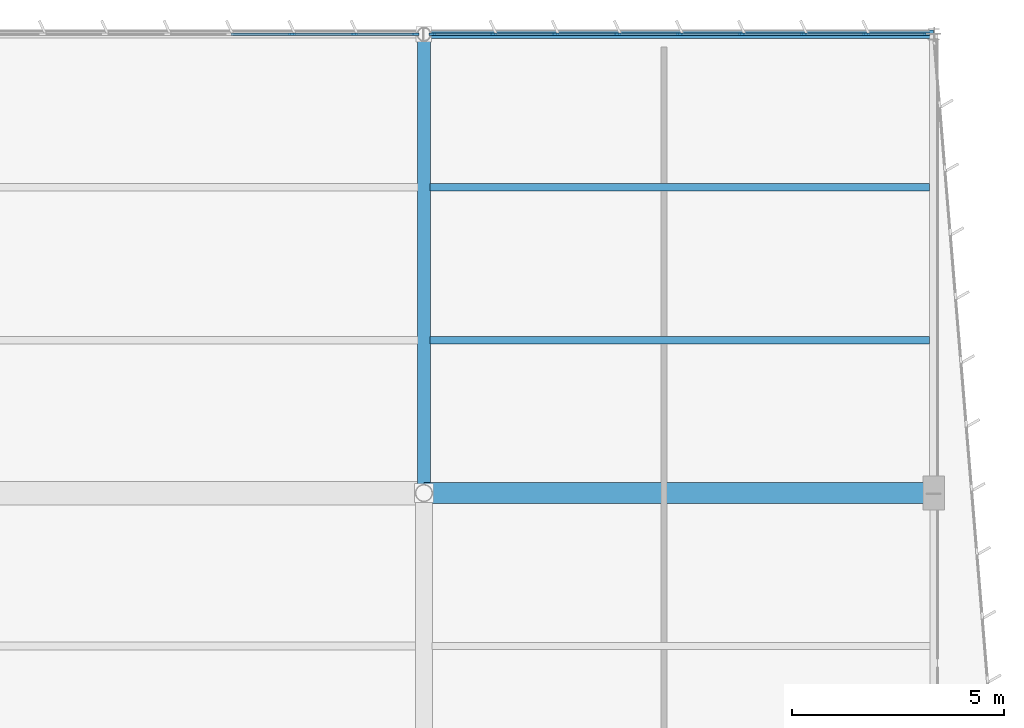
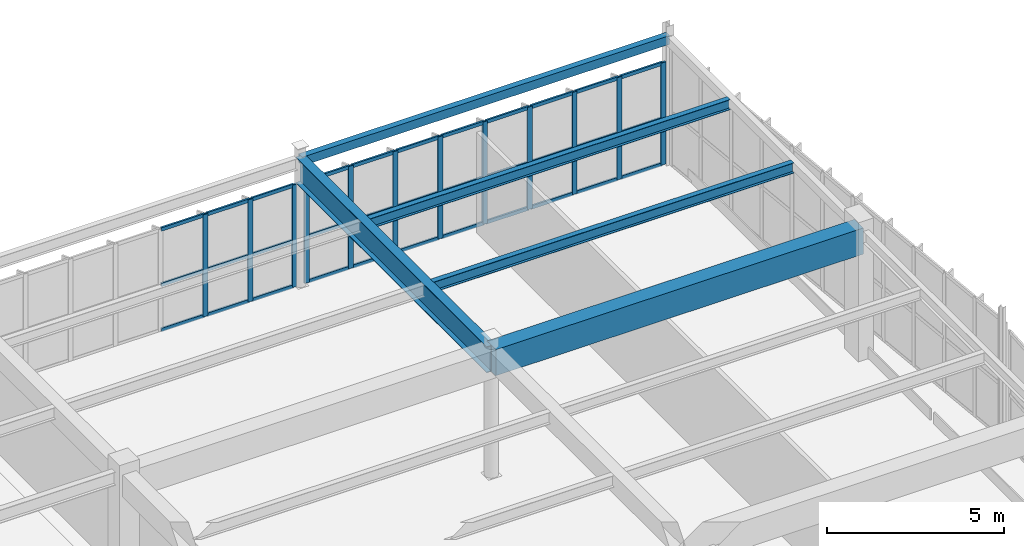
# One storey, part 132 of 226: 45 members, 5 beams, 2 elements without a shape of their own.
"""IFC4 building model written with IfcOpenShell, lengths in metres."""

from ifc_helpers import new_model, si_unit, direction, frame, origin, origin_2d, place, context, subcontext, project, spatial, rectangle, hollow_rectangle, i_section, extrude, material, layer, layer_set, material_profile, profile_set, type_object, element, aggregate, save


model = new_model("IFC4")

# Units and contexts
model_context = context("Model", 3, precision=1e-05, world=origin(), true_north=direction((0.0, 1.0)))
body_context = subcontext(model_context, "Body", "Model", "MODEL_VIEW")
ifc_project = project(units=[si_unit("LENGTHUNIT", "METRE"), si_unit("AREAUNIT", "SQUARE_METRE"), si_unit("VOLUMEUNIT", "CUBIC_METRE"), si_unit("PLANEANGLEUNIT", "RADIAN"), si_unit("MASSUNIT", "GRAM", prefix="KILO")], contexts=[model_context])

# Site, building, storey
site_placement = place(None, origin())
site = spatial("IfcSite", under=ifc_project, at=site_placement, CompositionType="ELEMENT")
building_placement = place(site_placement, origin())
building = spatial("IfcBuilding", under=site, at=building_placement, Name="Tarnwether General Hospital", CompositionType="ELEMENT")
storey_placement = place(building_placement, frame((0.0, 0.0, 4.800048828125)))
storey = spatial("IfcBuildingStorey", under=building, at=storey_placement, Name="L01", CompositionType="ELEMENT", Elevation=4.800048828125)

# Beams
ifc_material_1 = material(Name="Steel Grade 350 (350 MPa)", Category="steel")
ifc_material_profile_1 = material_profile(ifc_material_1, i_section(OverallWidth=0.300048828125, OverallDepth=0.89990234375, WebThickness=0.011962890625, FlangeThickness=0.02001953125, at=origin_2d()), Name="900WB175")
ifc_profile_set_1 = profile_set([ifc_material_profile_1], Name="Steel Grade 350 (350 MPa)")
beam_type_1 = type_object("IfcBeamType", Name="BM-G01", PredefinedType="BEAM", material=ifc_profile_set_1)
beam_1_placement = place(storey_placement, frame((180.0, 115.199951171875, 3.994873046875), z_axis=(0.0, 1.0, 0.0), x_axis=(-1.0, 0.0, 0.0)))
element("IfcBeam", 1, at=beam_1_placement, inside=storey, type_object=beam_type_1, Name="Primary Girder BMG-L01-18000_11520-18000_12600-1281", PredefinedType="BEAM", context=body_context, shape_type="SweptSolid", body=[
    extrude(i_section(OverallWidth=0.300048828125, OverallDepth=0.89990234375, WebThickness=0.011962890625, FlangeThickness=0.02001953125, at=origin_2d()), origin(), (0.0, 0.0, 1.0), 10.800048828125),
])
ifc_material_2 = material(Name="Concrete 40 MPa", Category="concrete")
ifc_material_profile_2 = material_profile(ifc_material_2, rectangle(XDim=0.5, YDim=0.89990234375, at=origin_2d()), Name="RC-BM-500x900")
ifc_profile_set_2 = profile_set([ifc_material_profile_2], Name="Concrete 40 MPa")
beam_type_2 = type_object("IfcBeamType", Name="BM-G12", PredefinedType="BEAM", material=ifc_profile_set_2)
beam_2_placement = place(storey_placement, frame((180.0, 115.199951171875, 3.994873046875), z_axis=(1.0, 0.0, 0.0), x_axis=(0.0, 1.0, 0.0)))
element("IfcBeam", 2, at=beam_2_placement, inside=storey, type_object=beam_type_2, Name="Primary Girder BMG-L01-18000_11520-19200_11520-1280", PredefinedType="BEAM", context=body_context, shape_type="SweptSolid", body=[
    extrude(rectangle(XDim=0.5, YDim=0.89990234375, at=origin_2d()), origin(), (0.0, 0.0, 1.0), 12.0),
])
ifc_material_3 = material(Name="Steel Grade 350 (350 MPa)", Category="steel")
ifc_material_profile_3 = material_profile(ifc_material_3, i_section(OverallWidth=0.172119140625, OverallDepth=0.35888671875, WebThickness=0.008056640625, FlangeThickness=0.012939453125, at=origin_2d()), Name="360UB56.7")
ifc_profile_set_3 = profile_set([ifc_material_profile_3], Name="Steel Grade 350 (350 MPa)")
beam_type_3 = type_object("IfcBeamType", Name="BM-J03", PredefinedType="JOIST", material=ifc_profile_set_3)
beam_3_placement = place(storey_placement, frame((180.14404296875, 118.800048828125, 4.265380859375), z_axis=(1.0, 0.0, 0.0), x_axis=(0.0, 1.0, 0.0)))
element("IfcBeam", 3, at=beam_3_placement, inside=storey, type_object=beam_type_3, Name="Composite Floor Joist BMG-L01-18014_11880-19191_11880-1439", PredefinedType="JOIST", context=body_context, shape_type="SweptSolid", body=[
    extrude(i_section(OverallWidth=0.172119140625, OverallDepth=0.35888671875, WebThickness=0.008056640625, FlangeThickness=0.012939453125, at=origin_2d()), origin(), (0.0, 0.0, 1.0), 11.761962890625),
])
ifc_material_4 = material(Name="Steel Grade 350 (350 MPa)", Category="steel")
ifc_material_profile_4 = material_profile(ifc_material_4, i_section(OverallWidth=0.1708984375, OverallDepth=0.35595703125, WebThickness=0.00732421875, FlangeThickness=0.011474609375, at=origin_2d()), Name="360UB50.7")
ifc_profile_set_4 = profile_set([ifc_material_profile_4], Name="Steel Grade 350 (350 MPa)")
beam_type_4 = type_object("IfcBeamType", Name="BM-J04", PredefinedType="JOIST", material=ifc_profile_set_4)
beam_4_placement = place(storey_placement, frame((180.14404296875, 122.39990234375, 4.266845703125), z_axis=(1.0, 0.0, 0.0), x_axis=(0.0, 1.0, 0.0)))
element("IfcBeam", 4, at=beam_4_placement, inside=storey, type_object=beam_type_4, Name="Composite Floor Joist BMG-L01-18014_12240-19191_12240-1440", PredefinedType="JOIST", context=body_context, shape_type="SweptSolid", body=[
    extrude(i_section(OverallWidth=0.1708984375, OverallDepth=0.35595703125, WebThickness=0.00732421875, FlangeThickness=0.011474609375, at=origin_2d()), origin(), (0.0, 0.0, 1.0), 11.761962890625),
])
ifc_material_5 = material(Name="Steel Grade C350L0 (350 MPa)", Category="steel")
ifc_material_profile_5 = material_profile(ifc_material_5, hollow_rectangle(XDim=0.199951171875, YDim=0.300048828125, WallThickness=0.012451171875, at=origin_2d()), Name="RHS300x200x12.5")
ifc_profile_set_5 = profile_set([ifc_material_profile_5], Name="Steel Grade C350L0 (350 MPa)")
beam_type_5 = type_object("IfcBeamType", Name="BM-SP3", PredefinedType="SPANDREL", material=ifc_profile_set_5)
beam_5_placement = place(storey_placement, frame((180.0, 126.0, 4.294921875), z_axis=(1.0, 0.0, 0.0), x_axis=(0.0, 1.0, 0.0)))
element("IfcBeam", 5, at=beam_5_placement, inside=storey, type_object=beam_type_5, Name="Primary Girder BMG-L01-18000_12600-19200_12600-1282", PredefinedType="SPANDREL", context=body_context, shape_type="SweptSolid", body=[
    extrude(hollow_rectangle(XDim=0.199951171875, YDim=0.300048828125, WallThickness=0.012451171875, at=origin_2d()), origin(), (0.0, 0.0, 1.0), 12.0),
])

# Curtain wall, members
ifc_material_6 = material(Name="Anodised aluminium", Category="aluminium")
ifc_layer = layer(ifc_material_6, 0.159912109375)
ifc_layer_set = layer_set([ifc_layer], Name="Anodised aluminium")
curtain_wall_type = type_object("IfcCurtainWallType", Name="CW-16", PredefinedType="NOTDEFINED", material=ifc_layer_set)
curtain_wall_1_placement = place(storey_placement, origin())
curtain_wall_1 = element("IfcCurtainWall", 6, at=curtain_wall_1_placement, inside=storey, type_object=curtain_wall_type, Name="Curtain Wall CWG-L01-1681_1260-0391", PredefinedType="NOTDEFINED")
ifc_material_7 = material(Name="Anodised aluminium", Category="aluminium")
ifc_material_profile_6 = material_profile(ifc_material_7, rectangle(XDim=0.06005859375, YDim=0.159912109375, at=origin_2d()), Name="ALU-MUL-60x160")
ifc_profile_set_6 = profile_set([ifc_material_profile_6], Name="Anodised aluminium")
member_type_1 = type_object("IfcMemberType", Name="CW-ML1", PredefinedType="MULLION", material=ifc_profile_set_6)
member_1_placement = place(storey_placement, frame((176.893798828125, 126.0, 0.0), z_axis=(0.0, 0.0, 1.0), x_axis=(0.0, 1.0, 0.0)))
member_1 = element("IfcMember", 7, at=member_1_placement, type_object=member_type_1, Name="CW-16 mullion 7", PredefinedType="MULLION", context=body_context, shape_type="SweptSolid", body=[
    extrude(rectangle(XDim=0.06005859375, YDim=0.159912109375, at=origin_2d()), origin(), (0.0, 0.0, 1.0), 3.530029296875),
])
member_2_placement = place(storey_placement, frame((178.36181640625, 126.0, 0.0), z_axis=(0.0, 0.0, 1.0), x_axis=(0.0, 1.0, 0.0)))
member_2 = element("IfcMember", 8, at=member_2_placement, type_object=member_type_1, Name="CW-16 mullion 8", PredefinedType="MULLION", context=body_context, shape_type="SweptSolid", body=[
    extrude(rectangle(XDim=0.06005859375, YDim=0.159912109375, at=origin_2d()), origin(), (0.0, 0.0, 1.0), 3.530029296875),
])
member_3_placement = place(storey_placement, frame((179.800048828125, 126.0, 0.0), z_axis=(0.0, 0.0, 1.0), x_axis=(0.0, 1.0, 0.0)))
member_3 = element("IfcMember", 9, at=member_3_placement, type_object=member_type_1, Name="CW-16 mullion 9", PredefinedType="MULLION", context=body_context, shape_type="SweptSolid", body=[
    extrude(rectangle(XDim=0.06005859375, YDim=0.159912109375, at=origin_2d()), origin(), (0.0, 0.0, 1.0), 3.530029296875),
])

curtain_wall_2_placement = place(storey_placement, origin())
curtain_wall_2 = element("IfcCurtainWall", 10, at=curtain_wall_2_placement, inside=storey, type_object=curtain_wall_type, Name="Curtain Wall CWG-L01-1802_1260-0392", PredefinedType="NOTDEFINED")
member_4_placement = place(storey_placement, frame((180.199951171875, 126.0, 0.0), z_axis=(0.0, 0.0, 1.0), x_axis=(0.0, 1.0, 0.0)))
member_4 = element("IfcMember", 11, at=member_4_placement, type_object=member_type_1, Name="CW-16 mullion 1", PredefinedType="MULLION", context=body_context, shape_type="SweptSolid", body=[
    extrude(rectangle(XDim=0.06005859375, YDim=0.159912109375, at=origin_2d()), origin(), (0.0, 0.0, 1.0), 3.530029296875),
])
member_5_placement = place(storey_placement, frame((181.6318359375, 126.0, 0.0), z_axis=(0.0, 0.0, 1.0), x_axis=(0.0, 1.0, 0.0)))
member_5 = element("IfcMember", 12, at=member_5_placement, type_object=member_type_1, Name="CW-16 mullion 2", PredefinedType="MULLION", context=body_context, shape_type="SweptSolid", body=[
    extrude(rectangle(XDim=0.06005859375, YDim=0.159912109375, at=origin_2d()), origin(), (0.0, 0.0, 1.0), 3.530029296875),
])
member_6_placement = place(storey_placement, frame((183.09375, 126.0, 0.0), z_axis=(0.0, 0.0, 1.0), x_axis=(0.0, 1.0, 0.0)))
member_6 = element("IfcMember", 13, at=member_6_placement, type_object=member_type_1, Name="CW-16 mullion 3", PredefinedType="MULLION", context=body_context, shape_type="SweptSolid", body=[
    extrude(rectangle(XDim=0.06005859375, YDim=0.159912109375, at=origin_2d()), origin(), (0.0, 0.0, 1.0), 3.530029296875),
])
member_7_placement = place(storey_placement, frame((184.5556640625, 126.0, 0.0), z_axis=(0.0, 0.0, 1.0), x_axis=(0.0, 1.0, 0.0)))
member_7 = element("IfcMember", 14, at=member_7_placement, type_object=member_type_1, Name="CW-16 mullion 4", PredefinedType="MULLION", context=body_context, shape_type="SweptSolid", body=[
    extrude(rectangle(XDim=0.06005859375, YDim=0.159912109375, at=origin_2d()), origin(), (0.0, 0.0, 1.0), 3.530029296875),
])
member_8_placement = place(storey_placement, frame((186.017578125, 126.0, 0.0), z_axis=(0.0, 0.0, 1.0), x_axis=(0.0, 1.0, 0.0)))
member_8 = element("IfcMember", 15, at=member_8_placement, type_object=member_type_1, Name="CW-16 mullion 5", PredefinedType="MULLION", context=body_context, shape_type="SweptSolid", body=[
    extrude(rectangle(XDim=0.06005859375, YDim=0.159912109375, at=origin_2d()), origin(), (0.0, 0.0, 1.0), 3.530029296875),
])
member_9_placement = place(storey_placement, frame((187.4794921875, 126.0, 0.0), z_axis=(0.0, 0.0, 1.0), x_axis=(0.0, 1.0, 0.0)))
member_9 = element("IfcMember", 16, at=member_9_placement, type_object=member_type_1, Name="CW-16 mullion 6", PredefinedType="MULLION", context=body_context, shape_type="SweptSolid", body=[
    extrude(rectangle(XDim=0.06005859375, YDim=0.159912109375, at=origin_2d()), origin(), (0.0, 0.0, 1.0), 3.530029296875),
])
member_10_placement = place(storey_placement, frame((188.941162109375, 126.0, 0.0), z_axis=(0.0, 0.0, 1.0), x_axis=(0.0, 1.0, 0.0)))
member_10 = element("IfcMember", 17, at=member_10_placement, type_object=member_type_1, Name="CW-16 mullion 7", PredefinedType="MULLION", context=body_context, shape_type="SweptSolid", body=[
    extrude(rectangle(XDim=0.06005859375, YDim=0.159912109375, at=origin_2d()), origin(), (0.0, 0.0, 1.0), 3.530029296875),
])
member_11_placement = place(storey_placement, frame((190.403076171875, 126.0, 0.0), z_axis=(0.0, 0.0, 1.0), x_axis=(0.0, 1.0, 0.0)))
member_11 = element("IfcMember", 18, at=member_11_placement, type_object=member_type_1, Name="CW-16 mullion 8", PredefinedType="MULLION", context=body_context, shape_type="SweptSolid", body=[
    extrude(rectangle(XDim=0.06005859375, YDim=0.159912109375, at=origin_2d()), origin(), (0.0, 0.0, 1.0), 3.530029296875),
])
member_12_placement = place(storey_placement, frame((191.8349609375, 126.0, 0.0), z_axis=(0.0, 0.0, 1.0), x_axis=(0.0, 1.0, 0.0)))
member_12 = element("IfcMember", 19, at=member_12_placement, type_object=member_type_1, Name="CW-16 mullion 9", PredefinedType="MULLION", context=body_context, shape_type="SweptSolid", body=[
    extrude(rectangle(XDim=0.06005859375, YDim=0.159912109375, at=origin_2d()), origin(), (0.0, 0.0, 1.0), 3.530029296875),
])

# Member
ifc_material_8 = material(Name="Anodised aluminium", Category="aluminium")
ifc_material_profile_7 = material_profile(ifc_material_8, rectangle(XDim=0.06005859375, YDim=0.1201171875, at=origin_2d()), Name="ALU-TRN-60x120")
ifc_profile_set_7 = profile_set([ifc_material_profile_7], Name="Anodised aluminium")
member_type_2 = type_object("IfcMemberType", Name="CW-TR1", PredefinedType="USERDEFINED", material=ifc_profile_set_7)
member_13_placement = place(storey_placement, frame((175.45556640625, 126.0, 0.030029296875), z_axis=(1.0, 0.0, 0.0), x_axis=(0.0, 1.0, 0.0)))
member_13 = element("IfcMember", 20, at=member_13_placement, type_object=member_type_2, Name="CW-16 transom 6.1", ObjectType="TRANSOM", PredefinedType="USERDEFINED", context=body_context, shape_type="SweptSolid", body=[
    extrude(rectangle(XDim=0.06005859375, YDim=0.1201171875, at=origin_2d()), origin(), (0.0, 0.0, 1.0), 1.408203125),
])

member_14_placement = place(storey_placement, frame((175.45556640625, 126.0, 1.58837890625), z_axis=(1.0, 0.0, 0.0), x_axis=(0.0, 1.0, 0.0)))
member_14 = element("IfcMember", 21, at=member_14_placement, type_object=member_type_2, Name="CW-16 transom 6.2", ObjectType="TRANSOM", PredefinedType="USERDEFINED", context=body_context, shape_type="SweptSolid", body=[
    extrude(rectangle(XDim=0.06005859375, YDim=0.1201171875, at=origin_2d()), origin(), (0.0, 0.0, 1.0), 1.408203125),
])

member_15_placement = place(storey_placement, frame((175.45556640625, 126.0, 3.5), z_axis=(1.0, 0.0, 0.0), x_axis=(0.0, 1.0, 0.0)))
member_15 = element("IfcMember", 22, at=member_15_placement, type_object=member_type_2, Name="CW-16 transom 6.3", ObjectType="TRANSOM", PredefinedType="USERDEFINED", context=body_context, shape_type="SweptSolid", body=[
    extrude(rectangle(XDim=0.06005859375, YDim=0.1201171875, at=origin_2d()), origin(), (0.0, 0.0, 1.0), 1.408203125),
])

member_16_placement = place(storey_placement, frame((176.923828125, 126.0, 0.030029296875), z_axis=(1.0, 0.0, 0.0), x_axis=(0.0, 1.0, 0.0)))
member_16 = element("IfcMember", 23, at=member_16_placement, type_object=member_type_2, Name="CW-16 transom 7.1", ObjectType="TRANSOM", PredefinedType="USERDEFINED", context=body_context, shape_type="SweptSolid", body=[
    extrude(rectangle(XDim=0.06005859375, YDim=0.1201171875, at=origin_2d()), origin(), (0.0, 0.0, 1.0), 1.407958984375),
])

member_17_placement = place(storey_placement, frame((176.923828125, 126.0, 1.58837890625), z_axis=(1.0, 0.0, 0.0), x_axis=(0.0, 1.0, 0.0)))
member_17 = element("IfcMember", 24, at=member_17_placement, type_object=member_type_2, Name="CW-16 transom 7.2", ObjectType="TRANSOM", PredefinedType="USERDEFINED", context=body_context, shape_type="SweptSolid", body=[
    extrude(rectangle(XDim=0.06005859375, YDim=0.1201171875, at=origin_2d()), origin(), (0.0, 0.0, 1.0), 1.407958984375),
])

member_18_placement = place(storey_placement, frame((176.923828125, 126.0, 3.5), z_axis=(1.0, 0.0, 0.0), x_axis=(0.0, 1.0, 0.0)))
member_18 = element("IfcMember", 25, at=member_18_placement, type_object=member_type_2, Name="CW-16 transom 7.3", ObjectType="TRANSOM", PredefinedType="USERDEFINED", context=body_context, shape_type="SweptSolid", body=[
    extrude(rectangle(XDim=0.06005859375, YDim=0.1201171875, at=origin_2d()), origin(), (0.0, 0.0, 1.0), 1.407958984375),
])

member_19_placement = place(storey_placement, frame((178.391845703125, 126.0, 0.030029296875), z_axis=(1.0, 0.0, 0.0), x_axis=(0.0, 1.0, 0.0)))
member_19 = element("IfcMember", 26, at=member_19_placement, type_object=member_type_2, Name="CW-16 transom 8.1", ObjectType="TRANSOM", PredefinedType="USERDEFINED", context=body_context, shape_type="SweptSolid", body=[
    extrude(rectangle(XDim=0.06005859375, YDim=0.1201171875, at=origin_2d()), origin(), (0.0, 0.0, 1.0), 1.378173828125),
])

member_20_placement = place(storey_placement, frame((178.391845703125, 126.0, 1.58837890625), z_axis=(1.0, 0.0, 0.0), x_axis=(0.0, 1.0, 0.0)))
member_20 = element("IfcMember", 27, at=member_20_placement, type_object=member_type_2, Name="CW-16 transom 8.2", ObjectType="TRANSOM", PredefinedType="USERDEFINED", context=body_context, shape_type="SweptSolid", body=[
    extrude(rectangle(XDim=0.06005859375, YDim=0.1201171875, at=origin_2d()), origin(), (0.0, 0.0, 1.0), 1.378173828125),
])

member_21_placement = place(storey_placement, frame((178.391845703125, 126.0, 3.5), z_axis=(1.0, 0.0, 0.0), x_axis=(0.0, 1.0, 0.0)))
member_21 = element("IfcMember", 28, at=member_21_placement, type_object=member_type_2, Name="CW-16 transom 8.3", ObjectType="TRANSOM", PredefinedType="USERDEFINED", context=body_context, shape_type="SweptSolid", body=[
    extrude(rectangle(XDim=0.06005859375, YDim=0.1201171875, at=origin_2d()), origin(), (0.0, 0.0, 1.0), 1.378173828125),
])

aggregate(curtain_wall_1, [member_1, member_2, member_3, member_13, member_14, member_15, member_16, member_17, member_18, member_19, member_20, member_21])

member_22_placement = place(storey_placement, frame((180.22998046875, 126.0, 0.030029296875), z_axis=(1.0, 0.0, 0.0), x_axis=(0.0, 1.0, 0.0)))
member_22 = element("IfcMember", 29, at=member_22_placement, type_object=member_type_2, Name="CW-16 transom 1.1", ObjectType="TRANSOM", PredefinedType="USERDEFINED", context=body_context, shape_type="SweptSolid", body=[
    extrude(rectangle(XDim=0.06005859375, YDim=0.1201171875, at=origin_2d()), origin(), (0.0, 0.0, 1.0), 1.371826171875),
])

member_23_placement = place(storey_placement, frame((180.22998046875, 126.0, 1.58837890625), z_axis=(1.0, 0.0, 0.0), x_axis=(0.0, 1.0, 0.0)))
member_23 = element("IfcMember", 30, at=member_23_placement, type_object=member_type_2, Name="CW-16 transom 1.2", ObjectType="TRANSOM", PredefinedType="USERDEFINED", context=body_context, shape_type="SweptSolid", body=[
    extrude(rectangle(XDim=0.06005859375, YDim=0.1201171875, at=origin_2d()), origin(), (0.0, 0.0, 1.0), 1.371826171875),
])

member_24_placement = place(storey_placement, frame((180.22998046875, 126.0, 3.5), z_axis=(1.0, 0.0, 0.0), x_axis=(0.0, 1.0, 0.0)))
member_24 = element("IfcMember", 31, at=member_24_placement, type_object=member_type_2, Name="CW-16 transom 1.3", ObjectType="TRANSOM", PredefinedType="USERDEFINED", context=body_context, shape_type="SweptSolid", body=[
    extrude(rectangle(XDim=0.06005859375, YDim=0.1201171875, at=origin_2d()), origin(), (0.0, 0.0, 1.0), 1.371826171875),
])

member_25_placement = place(storey_placement, frame((181.661865234375, 126.0, 0.030029296875), z_axis=(1.0, 0.0, 0.0), x_axis=(0.0, 1.0, 0.0)))
member_25 = element("IfcMember", 32, at=member_25_placement, type_object=member_type_2, Name="CW-16 transom 2.1", ObjectType="TRANSOM", PredefinedType="USERDEFINED", context=body_context, shape_type="SweptSolid", body=[
    extrude(rectangle(XDim=0.06005859375, YDim=0.1201171875, at=origin_2d()), origin(), (0.0, 0.0, 1.0), 1.40185546875),
])

member_26_placement = place(storey_placement, frame((181.661865234375, 126.0, 1.58837890625), z_axis=(1.0, 0.0, 0.0), x_axis=(0.0, 1.0, 0.0)))
member_26 = element("IfcMember", 33, at=member_26_placement, type_object=member_type_2, Name="CW-16 transom 2.2", ObjectType="TRANSOM", PredefinedType="USERDEFINED", context=body_context, shape_type="SweptSolid", body=[
    extrude(rectangle(XDim=0.06005859375, YDim=0.1201171875, at=origin_2d()), origin(), (0.0, 0.0, 1.0), 1.40185546875),
])

member_27_placement = place(storey_placement, frame((181.661865234375, 126.0, 3.5), z_axis=(1.0, 0.0, 0.0), x_axis=(0.0, 1.0, 0.0)))
member_27 = element("IfcMember", 34, at=member_27_placement, type_object=member_type_2, Name="CW-16 transom 2.3", ObjectType="TRANSOM", PredefinedType="USERDEFINED", context=body_context, shape_type="SweptSolid", body=[
    extrude(rectangle(XDim=0.06005859375, YDim=0.1201171875, at=origin_2d()), origin(), (0.0, 0.0, 1.0), 1.40185546875),
])

member_28_placement = place(storey_placement, frame((183.123779296875, 126.0, 0.030029296875), z_axis=(1.0, 0.0, 0.0), x_axis=(0.0, 1.0, 0.0)))
member_28 = element("IfcMember", 35, at=member_28_placement, type_object=member_type_2, Name="CW-16 transom 3.1", ObjectType="TRANSOM", PredefinedType="USERDEFINED", context=body_context, shape_type="SweptSolid", body=[
    extrude(rectangle(XDim=0.06005859375, YDim=0.1201171875, at=origin_2d()), origin(), (0.0, 0.0, 1.0), 1.40185546875),
])

member_29_placement = place(storey_placement, frame((183.123779296875, 126.0, 1.58837890625), z_axis=(1.0, 0.0, 0.0), x_axis=(0.0, 1.0, 0.0)))
member_29 = element("IfcMember", 36, at=member_29_placement, type_object=member_type_2, Name="CW-16 transom 3.2", ObjectType="TRANSOM", PredefinedType="USERDEFINED", context=body_context, shape_type="SweptSolid", body=[
    extrude(rectangle(XDim=0.06005859375, YDim=0.1201171875, at=origin_2d()), origin(), (0.0, 0.0, 1.0), 1.40185546875),
])

member_30_placement = place(storey_placement, frame((183.123779296875, 126.0, 3.5), z_axis=(1.0, 0.0, 0.0), x_axis=(0.0, 1.0, 0.0)))
member_30 = element("IfcMember", 37, at=member_30_placement, type_object=member_type_2, Name="CW-16 transom 3.3", ObjectType="TRANSOM", PredefinedType="USERDEFINED", context=body_context, shape_type="SweptSolid", body=[
    extrude(rectangle(XDim=0.06005859375, YDim=0.1201171875, at=origin_2d()), origin(), (0.0, 0.0, 1.0), 1.40185546875),
])

member_31_placement = place(storey_placement, frame((184.585693359375, 126.0, 0.030029296875), z_axis=(1.0, 0.0, 0.0), x_axis=(0.0, 1.0, 0.0)))
member_31 = element("IfcMember", 38, at=member_31_placement, type_object=member_type_2, Name="CW-16 transom 4.1", ObjectType="TRANSOM", PredefinedType="USERDEFINED", context=body_context, shape_type="SweptSolid", body=[
    extrude(rectangle(XDim=0.06005859375, YDim=0.1201171875, at=origin_2d()), origin(), (0.0, 0.0, 1.0), 1.40185546875),
])

member_32_placement = place(storey_placement, frame((184.585693359375, 126.0, 1.58837890625), z_axis=(1.0, 0.0, 0.0), x_axis=(0.0, 1.0, 0.0)))
member_32 = element("IfcMember", 39, at=member_32_placement, type_object=member_type_2, Name="CW-16 transom 4.2", ObjectType="TRANSOM", PredefinedType="USERDEFINED", context=body_context, shape_type="SweptSolid", body=[
    extrude(rectangle(XDim=0.06005859375, YDim=0.1201171875, at=origin_2d()), origin(), (0.0, 0.0, 1.0), 1.40185546875),
])

member_33_placement = place(storey_placement, frame((184.585693359375, 126.0, 3.5), z_axis=(1.0, 0.0, 0.0), x_axis=(0.0, 1.0, 0.0)))
member_33 = element("IfcMember", 40, at=member_33_placement, type_object=member_type_2, Name="CW-16 transom 4.3", ObjectType="TRANSOM", PredefinedType="USERDEFINED", context=body_context, shape_type="SweptSolid", body=[
    extrude(rectangle(XDim=0.06005859375, YDim=0.1201171875, at=origin_2d()), origin(), (0.0, 0.0, 1.0), 1.40185546875),
])

member_34_placement = place(storey_placement, frame((186.047607421875, 126.0, 0.030029296875), z_axis=(1.0, 0.0, 0.0), x_axis=(0.0, 1.0, 0.0)))
member_34 = element("IfcMember", 41, at=member_34_placement, type_object=member_type_2, Name="CW-16 transom 5.1", ObjectType="TRANSOM", PredefinedType="USERDEFINED", context=body_context, shape_type="SweptSolid", body=[
    extrude(rectangle(XDim=0.06005859375, YDim=0.1201171875, at=origin_2d()), origin(), (0.0, 0.0, 1.0), 1.40185546875),
])

member_35_placement = place(storey_placement, frame((186.047607421875, 126.0, 1.58837890625), z_axis=(1.0, 0.0, 0.0), x_axis=(0.0, 1.0, 0.0)))
member_35 = element("IfcMember", 42, at=member_35_placement, type_object=member_type_2, Name="CW-16 transom 5.2", ObjectType="TRANSOM", PredefinedType="USERDEFINED", context=body_context, shape_type="SweptSolid", body=[
    extrude(rectangle(XDim=0.06005859375, YDim=0.1201171875, at=origin_2d()), origin(), (0.0, 0.0, 1.0), 1.40185546875),
])

member_36_placement = place(storey_placement, frame((186.047607421875, 126.0, 3.5), z_axis=(1.0, 0.0, 0.0), x_axis=(0.0, 1.0, 0.0)))
member_36 = element("IfcMember", 43, at=member_36_placement, type_object=member_type_2, Name="CW-16 transom 5.3", ObjectType="TRANSOM", PredefinedType="USERDEFINED", context=body_context, shape_type="SweptSolid", body=[
    extrude(rectangle(XDim=0.06005859375, YDim=0.1201171875, at=origin_2d()), origin(), (0.0, 0.0, 1.0), 1.40185546875),
])

member_37_placement = place(storey_placement, frame((187.50927734375, 126.0, 0.030029296875), z_axis=(1.0, 0.0, 0.0), x_axis=(0.0, 1.0, 0.0)))
member_37 = element("IfcMember", 44, at=member_37_placement, type_object=member_type_2, Name="CW-16 transom 6.1", ObjectType="TRANSOM", PredefinedType="USERDEFINED", context=body_context, shape_type="SweptSolid", body=[
    extrude(rectangle(XDim=0.06005859375, YDim=0.1201171875, at=origin_2d()), origin(), (0.0, 0.0, 1.0), 1.40185546875),
])

member_38_placement = place(storey_placement, frame((187.50927734375, 126.0, 1.58837890625), z_axis=(1.0, 0.0, 0.0), x_axis=(0.0, 1.0, 0.0)))
member_38 = element("IfcMember", 45, at=member_38_placement, type_object=member_type_2, Name="CW-16 transom 6.2", ObjectType="TRANSOM", PredefinedType="USERDEFINED", context=body_context, shape_type="SweptSolid", body=[
    extrude(rectangle(XDim=0.06005859375, YDim=0.1201171875, at=origin_2d()), origin(), (0.0, 0.0, 1.0), 1.40185546875),
])

member_39_placement = place(storey_placement, frame((187.50927734375, 126.0, 3.5), z_axis=(1.0, 0.0, 0.0), x_axis=(0.0, 1.0, 0.0)))
member_39 = element("IfcMember", 46, at=member_39_placement, type_object=member_type_2, Name="CW-16 transom 6.3", ObjectType="TRANSOM", PredefinedType="USERDEFINED", context=body_context, shape_type="SweptSolid", body=[
    extrude(rectangle(XDim=0.06005859375, YDim=0.1201171875, at=origin_2d()), origin(), (0.0, 0.0, 1.0), 1.40185546875),
])

member_40_placement = place(storey_placement, frame((188.97119140625, 126.0, 0.030029296875), z_axis=(1.0, 0.0, 0.0), x_axis=(0.0, 1.0, 0.0)))
member_40 = element("IfcMember", 47, at=member_40_placement, type_object=member_type_2, Name="CW-16 transom 7.1", ObjectType="TRANSOM", PredefinedType="USERDEFINED", context=body_context, shape_type="SweptSolid", body=[
    extrude(rectangle(XDim=0.06005859375, YDim=0.1201171875, at=origin_2d()), origin(), (0.0, 0.0, 1.0), 1.40185546875),
])

member_41_placement = place(storey_placement, frame((188.97119140625, 126.0, 1.58837890625), z_axis=(1.0, 0.0, 0.0), x_axis=(0.0, 1.0, 0.0)))
member_41 = element("IfcMember", 48, at=member_41_placement, type_object=member_type_2, Name="CW-16 transom 7.2", ObjectType="TRANSOM", PredefinedType="USERDEFINED", context=body_context, shape_type="SweptSolid", body=[
    extrude(rectangle(XDim=0.06005859375, YDim=0.1201171875, at=origin_2d()), origin(), (0.0, 0.0, 1.0), 1.40185546875),
])

member_42_placement = place(storey_placement, frame((188.97119140625, 126.0, 3.5), z_axis=(1.0, 0.0, 0.0), x_axis=(0.0, 1.0, 0.0)))
member_42 = element("IfcMember", 49, at=member_42_placement, type_object=member_type_2, Name="CW-16 transom 7.3", ObjectType="TRANSOM", PredefinedType="USERDEFINED", context=body_context, shape_type="SweptSolid", body=[
    extrude(rectangle(XDim=0.06005859375, YDim=0.1201171875, at=origin_2d()), origin(), (0.0, 0.0, 1.0), 1.40185546875),
])

member_43_placement = place(storey_placement, frame((190.43310546875, 126.0, 0.030029296875), z_axis=(1.0, 0.0, 0.0), x_axis=(0.0, 1.0, 0.0)))
member_43 = element("IfcMember", 50, at=member_43_placement, type_object=member_type_2, Name="CW-16 transom 8.1", ObjectType="TRANSOM", PredefinedType="USERDEFINED", context=body_context, shape_type="SweptSolid", body=[
    extrude(rectangle(XDim=0.06005859375, YDim=0.1201171875, at=origin_2d()), origin(), (0.0, 0.0, 1.0), 1.371826171875),
])

member_44_placement = place(storey_placement, frame((190.43310546875, 126.0, 1.58837890625), z_axis=(1.0, 0.0, 0.0), x_axis=(0.0, 1.0, 0.0)))
member_44 = element("IfcMember", 51, at=member_44_placement, type_object=member_type_2, Name="CW-16 transom 8.2", ObjectType="TRANSOM", PredefinedType="USERDEFINED", context=body_context, shape_type="SweptSolid", body=[
    extrude(rectangle(XDim=0.06005859375, YDim=0.1201171875, at=origin_2d()), origin(), (0.0, 0.0, 1.0), 1.371826171875),
])

member_45_placement = place(storey_placement, frame((190.43310546875, 126.0, 3.5), z_axis=(1.0, 0.0, 0.0), x_axis=(0.0, 1.0, 0.0)))
member_45 = element("IfcMember", 52, at=member_45_placement, type_object=member_type_2, Name="CW-16 transom 8.3", ObjectType="TRANSOM", PredefinedType="USERDEFINED", context=body_context, shape_type="SweptSolid", body=[
    extrude(rectangle(XDim=0.06005859375, YDim=0.1201171875, at=origin_2d()), origin(), (0.0, 0.0, 1.0), 1.371826171875),
])

aggregate(curtain_wall_2, [member_4, member_5, member_6, member_7, member_8, member_9, member_10, member_11, member_12, member_22, member_23, member_24, member_25, member_26, member_27, member_28, member_29, member_30, member_31, member_32, member_33, member_34, member_35, member_36, member_37, member_38, member_39, member_40, member_41, member_42, member_43, member_44, member_45])

save(model, "model.ifc")
